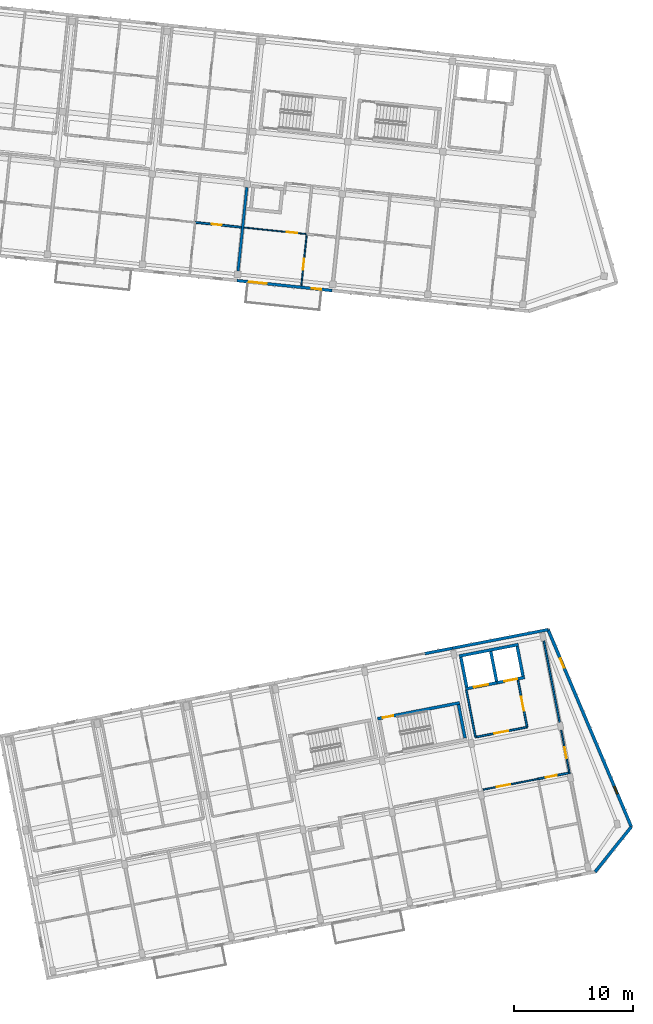
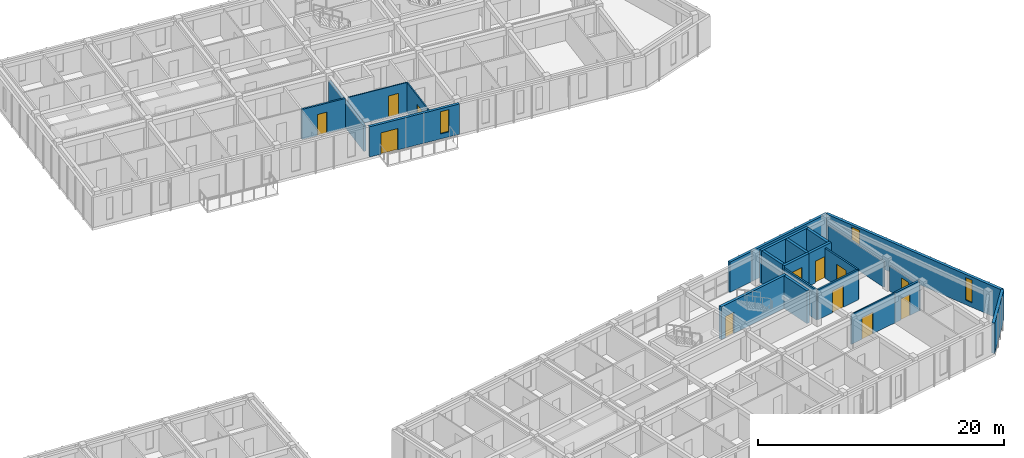
# One storey, part 37 of 68: 24 walls, 12 doors, 3 windows, 15 openings.
"""IFC4 building model written with IfcOpenShell, lengths in metres."""

from ifc_helpers import new_model, si_unit, direction, frame, frame_2d, origin, place, context, subcontext, project, spatial, rectangle, extrude, material, layer, layer_set, type_object, element, fill, save


model = new_model("IFC4")

# Units and contexts
model_context = context("Model", 3, precision=1e-05, world=origin(), true_north=direction((0.0, 1.0)))
body_context = subcontext(model_context, "Body", "Model", "MODEL_VIEW")
ifc_project = project(units=[si_unit("LENGTHUNIT", "METRE"), si_unit("AREAUNIT", "SQUARE_METRE"), si_unit("VOLUMEUNIT", "CUBIC_METRE"), si_unit("PLANEANGLEUNIT", "RADIAN"), si_unit("MASSUNIT", "GRAM", prefix="KILO")], contexts=[model_context])

# Site, building, storey
site_placement = place(None, origin())
site = spatial("IfcSite", under=ifc_project, at=site_placement, CompositionType="ELEMENT")
building_placement = place(site_placement, origin())
building = spatial("IfcBuilding", under=site, at=building_placement, Name="Kestramere Prow Commons", CompositionType="ELEMENT")
storey_placement = place(building_placement, frame((0.0, 0.0, 18.14990234375)))
storey = spatial("IfcBuildingStorey", under=building, at=storey_placement, Name="L05", CompositionType="ELEMENT", Elevation=18.14990234375)

# Wall, openings, windows
ifc_material_1 = material(Name="Weathered Zinc-Titanium Standing-Seam Cladding")
ifc_layer_1 = layer(ifc_material_1, 0.260009765625)
ifc_layer_set_1 = layer_set([ifc_layer_1], Name="Weathered Zinc-Titanium Standing-Seam Cladding")
wall_type_1 = type_object("IfcWallType", Name="EW-PROW-260", PredefinedType="SOLIDWALL", material=ifc_layer_set_1)
wall_1_placement = place(storey_placement, frame((159.83740234375, 62.556396484375, 0.0), z_axis=(0.0, 0.0, 1.0), x_axis=(0.389225507936, -0.921142499276, 0.0)))
wall_1 = element("IfcWall", 1, at=wall_1_placement, inside=storey, type_object=wall_type_1, Name="Block D L05 PRW-N Facet Wall", PredefinedType="SOLIDWALL", context=body_context, shape_type="SweptSolid", body=[
    extrude(rectangle(XDim=17.910400390625, YDim=0.260009765625, at=frame_2d((8.955078125, 0.0))), origin(), (0.0, 0.0, 1.0), 3.0),
])
opening_1_placement = place(wall_1_placement, frame((2.6298828125, 0.0, 0.52001953125)))
opening_1 = element("IfcOpeningElement", 2, at=opening_1_placement, cuts=wall_1, Name="Opening WN-14", PredefinedType="OPENING", context=body_context, shape_type="SweptSolid", body=[
    extrude(rectangle(XDim=0.840087890625, YDim=2.280029296875, at=frame_2d((0.419921875, 1.14013671875))), frame((0.0, 0.14501953125, 0.0), z_axis=(0.0, -1.0, 0.0), x_axis=(1.0, 0.0, 0.0)), (0.0, 0.0, 1.0), 0.2900390625),
])
opening_2_placement = place(wall_1_placement, frame((14.240234375, 0.0, 0.449951171875)))
opening_2 = element("IfcOpeningElement", 3, at=opening_2_placement, cuts=wall_1, Name="Opening WN-06", PredefinedType="OPENING", context=body_context, shape_type="SweptSolid", body=[
    extrude(rectangle(XDim=0.679931640625, YDim=2.239990234375, at=frame_2d((0.33984375, 1.1201171875))), frame((0.0, 0.14501953125, 0.0), z_axis=(0.0, -1.0, 0.0), x_axis=(1.0, 0.0, 0.0)), (0.0, 0.0, 1.0), 0.2900390625),
])
ifc_material_2 = material(Name="Low-E Laminated Double Glazing", Category="glass")
window_type_1 = type_object("IfcWindowType", Name="WN-NAR-680A", PartitioningType="SINGLE_PANEL", PredefinedType="WINDOW", material=ifc_material_2)
window_1_placement = place(opening_2_placement, origin())
window_1 = element("IfcWindow", 4, at=window_1_placement, inside=storey, type_object=window_type_1, Name="WN-D-L05-PRW-N-1", OverallHeight=2.239990234375, OverallWidth=0.679931640625, PartitioningType="SINGLE_PANEL", PredefinedType="WINDOW", context=body_context, shape_type="SweptSolid", body=[
    extrude(rectangle(XDim=0.679931640625, YDim=2.239990234375, at=frame_2d((0.33984375, 1.1201171875))), frame((0.0, 0.030029296875, 0.0), z_axis=(0.0, -1.0, 0.0), x_axis=(1.0, 0.0, 0.0)), (0.0, 0.0, 1.0), 0.06005859375),
])
fill(opening_2, window_1)
window_type_2 = type_object("IfcWindowType", Name="WN-NAR-840A", PartitioningType="DOUBLE_PANEL_VERTICAL", PredefinedType="WINDOW", material=ifc_material_2)
window_2_placement = place(opening_1_placement, origin())
window_2 = element("IfcWindow", 5, at=window_2_placement, inside=storey, type_object=window_type_2, Name="WN-D-L05-PRW-N-0", OverallHeight=2.280029296875, OverallWidth=0.840087890625, PartitioningType="SINGLE_PANEL", PredefinedType="WINDOW", context=body_context, shape_type="SweptSolid", body=[
    extrude(rectangle(XDim=0.840087890625, YDim=2.280029296875, at=frame_2d((0.419921875, 1.14013671875))), frame((0.0, 0.030029296875, 0.0), z_axis=(0.0, -1.0, 0.0), x_axis=(1.0, 0.0, 0.0)), (0.0, 0.0, 1.0), 0.06005859375),
])
fill(opening_1, window_2)

# Wall
wall_2_placement = place(storey_placement, frame((166.80859375, 46.058349609375, 0.0), z_axis=(0.0, 0.0, 1.0), x_axis=(-0.626281072923, -0.779597343312, 0.0)))
element("IfcWall", 6, at=wall_2_placement, inside=storey, type_object=wall_type_1, Name="Block D L05 PRW-S Facet Wall", PredefinedType="SOLIDWALL", context=body_context, shape_type="SweptSolid", body=[
    extrude(rectangle(XDim=4.83935546875, YDim=0.260009765625, at=frame_2d((2.419677734375, 0.0))), origin(), (0.0, 0.0, 1.0), 3.0),
])

# Wall, openings, door, window
ifc_material_3 = material(Name="Fluoropolymer Standing-Seam Zinc-Aluminium Cladding", Category="aluminium")
ifc_layer_2 = layer(ifc_material_3, 0.239990234375)
ifc_layer_set_2 = layer_set([ifc_layer_2], Name="Fluoropolymer Standing-Seam Zinc-Aluminium Cladding")
wall_type_2 = type_object("IfcWallType", Name="EW-SEAM-240", PredefinedType="SOLIDWALL", material=ifc_layer_set_2)
wall_3_placement = place(storey_placement, frame((141.769775390625, 90.932861328125, 0.0), z_axis=(0.0, 0.0, 1.0), x_axis=(-0.994519156568, 0.104554517933, 0.0)))
wall_3 = element("IfcWall", 7, at=wall_3_placement, inside=storey, type_object=wall_type_2, Name="Block B L05 South Standing-Seam Wall 4", PredefinedType="SOLIDWALL", context=body_context, shape_type="SweptSolid", body=[
    extrude(rectangle(XDim=8.0, YDim=0.239990234375, at=frame_2d((4.0, 0.0))), origin(), (0.0, 0.0, 1.0), 3.0),
])
opening_3_placement = place(wall_3_placement, frame((5.4951171875, 0.0, 0.0)))
opening_3 = element("IfcOpeningElement", 8, at=opening_3_placement, cuts=wall_3, Name="Opening GD-BAL-01", PredefinedType="OPENING", context=body_context, shape_type="SweptSolid", body=[
    extrude(rectangle(XDim=1.5, YDim=2.1201171875, at=frame_2d((0.75, 1.06005859375))), frame((0.0, 0.135009765625, 0.0), z_axis=(0.0, -1.0, 0.0), x_axis=(1.0, 0.0, 0.0)), (0.0, 0.0, 1.0), 0.27001953125),
])
opening_4_placement = place(wall_3_placement, frame((0.929931640625, 0.0, 0.5)))
opening_4 = element("IfcOpeningElement", 9, at=opening_4_placement, cuts=wall_3, Name="Opening WN-11", PredefinedType="OPENING", context=body_context, shape_type="SweptSolid", body=[
    extrude(rectangle(XDim=0.780029296875, YDim=2.199951171875, at=frame_2d((0.39013671875, 1.10009765625))), frame((0.0, 0.135009765625, 0.0), z_axis=(0.0, -1.0, 0.0), x_axis=(1.0, 0.0, 0.0)), (0.0, 0.0, 1.0), 0.27001953125),
])
ifc_material_4 = material(Name="Thermally-Broken Anodised Aluminium Glazed", Category="aluminium")
door_type_1 = type_object("IfcDoorType", Name="GD-BAL-1500", OperationType="SLIDING_TO_RIGHT", PredefinedType="DOOR", material=ifc_material_4)
door_1_placement = place(opening_3_placement, origin())
door_1 = element("IfcDoor", 10, at=door_1_placement, inside=storey, type_object=door_type_1, Name="Block B L05 Balcony Door 4", OperationType="SLIDING_TO_RIGHT", OverallHeight=2.1201171875, OverallWidth=1.5, PredefinedType="DOOR", context=body_context, shape_type="SweptSolid", body=[
    extrude(rectangle(XDim=1.5, YDim=2.1201171875, at=frame_2d((0.75, 1.06005859375))), frame((0.0, 0.02490234375, 0.0), z_axis=(0.0, -1.0, 0.0), x_axis=(1.0, 0.0, 0.0)), (0.0, 0.0, 1.0), 0.050048828125),
])
fill(opening_3, door_1)
window_type_3 = type_object("IfcWindowType", Name="WN-NAR-780A", PartitioningType="SINGLE_PANEL", PredefinedType="WINDOW", material=ifc_material_2)
window_3_placement = place(opening_4_placement, origin())
window_3 = element("IfcWindow", 11, at=window_3_placement, inside=storey, type_object=window_type_3, Name="WN-B-L05-SR-3", OverallHeight=2.199951171875, OverallWidth=0.780029296875, PartitioningType="SINGLE_PANEL", PredefinedType="WINDOW", context=body_context, shape_type="SweptSolid", body=[
    extrude(rectangle(XDim=0.780029296875, YDim=2.199951171875, at=frame_2d((0.39013671875, 1.10009765625))), frame((0.0, 0.030029296875, 0.0), z_axis=(0.0, -1.0, 0.0), x_axis=(1.0, 0.0, 0.0)), (0.0, 0.0, 1.0), 0.06005859375),
])
fill(opening_4, window_3)

# Walls
wall_4_placement = place(storey_placement, frame((149.530517578125, 60.552734375, 0.0), z_axis=(0.0, 0.0, 1.0), x_axis=(0.98161057432, 0.190894422087, 0.0)))
element("IfcWall", 12, at=wall_4_placement, inside=storey, type_object=wall_type_2, Name="Block D L05 North Standing-Seam Pier 5R", PredefinedType="SOLIDWALL", context=body_context, shape_type="SweptSolid", body=[
    extrude(rectangle(XDim=2.375, YDim=0.239990234375, at=frame_2d((1.1875, 0.0))), origin(), (0.0, 0.0, 1.0), 3.0),
])
wall_5_placement = place(storey_placement, frame((151.86181640625, 61.006103515625, 0.0), z_axis=(0.0, 0.0, 1.0), x_axis=(0.981627273155, 0.190808533872, 0.0)))
element("IfcWall", 13, at=wall_5_placement, inside=storey, type_object=wall_type_2, Name="Block D L05 North Standing-Seam Wall 6", PredefinedType="SOLIDWALL", context=body_context, shape_type="SweptSolid", body=[
    extrude(rectangle(XDim=8.124755859375, YDim=0.239990234375, at=frame_2d((4.0625, 0.0))), origin(), (0.0, 0.0, 1.0), 3.0),
])
ifc_material_5 = material(Name="Concrete C40/50", Category="concrete")
ifc_layer_3 = layer(ifc_material_5, 0.25)
ifc_layer_set_3 = layer_set([ifc_layer_3], Name="Concrete C40/50")
wall_type_3 = type_object("IfcWallType", Name="W-CORE-250", PredefinedType="SHEAR", material=ifc_layer_set_3)
wall_6_placement = place(storey_placement, frame((152.3974609375, 60.34619140625, 0.0), z_axis=(0.0, 0.0, 1.0), x_axis=(0.981635261308, 0.190767433692, 0.0)))
element("IfcWall", 14, at=wall_6_placement, inside=storey, type_object=wall_type_3, Name="Block D L05 Lift Core Back Wall", PredefinedType="SHEAR", context=body_context, shape_type="SweptSolid", body=[
    extrude(rectangle(XDim=5.050048828125, YDim=0.25, at=frame_2d((2.52490234375, 0.0))), origin(), (0.0, 0.0, 1.0), 3.25),
])

# Wall, opening, door
wall_7_placement = place(storey_placement, frame((152.931884765625, 57.59765625, 0.0), z_axis=(0.0, 0.0, 1.0), x_axis=(0.981636759622, 0.190759723627, 0.0)))
wall_7 = element("IfcWall", 15, at=wall_7_placement, inside=storey, type_object=wall_type_3, Name="Block D L05 Fire Lift Shaft Front Wall", PredefinedType="SHEAR", context=body_context, shape_type="SweptSolid", body=[
    extrude(rectangle(XDim=2.6748046875, YDim=0.25, at=frame_2d((1.33740234375, 0.0))), origin(), (0.0, 0.0, 1.0), 3.25),
])
opening_5_placement = place(wall_7_placement, frame((0.719970703125, 0.0, 0.0)))
opening_5 = element("IfcOpeningElement", 16, at=opening_5_placement, cuts=wall_7, Name="Opening LD-02", PredefinedType="OPENING", context=body_context, shape_type="SweptSolid", body=[
    extrude(rectangle(XDim=1.199951171875, YDim=2.199951171875, at=frame_2d((0.60009765625, 1.10009765625))), frame((0.0, 0.139892578125, 0.0), z_axis=(0.0, -1.0, 0.0), x_axis=(1.0, 0.0, 0.0)), (0.0, 0.0, 1.0), 0.280029296875),
])
ifc_material_6 = material(Name="Brushed Stainless Steel 316", Category="steel")
door_type_2 = type_object("IfcDoorType", Name="LD-02", OperationType="DOUBLE_DOOR_SLIDING", PredefinedType="DOOR", material=ifc_material_6)
door_2_placement = place(opening_5_placement, origin())
door_2 = element("IfcDoor", 17, at=door_2_placement, inside=storey, type_object=door_type_2, Name="FL-D1 L05 Lift Landing Door", OperationType="DOUBLE_DOOR_SLIDING", OverallHeight=2.199951171875, OverallWidth=1.199951171875, PredefinedType="DOOR", context=body_context, shape_type="SweptSolid", body=[
    extrude(rectangle(XDim=1.199951171875, YDim=2.199951171875, at=frame_2d((0.60009765625, 1.10009765625))), frame((0.0, 0.02490234375, 0.0), z_axis=(0.0, -1.0, 0.0), x_axis=(1.0, 0.0, 0.0)), (0.0, 0.0, 1.0), 0.050048828125),
])
fill(opening_5, door_2)

wall_8_placement = place(storey_placement, frame((155.5576171875, 58.10791015625, 0.0), z_axis=(0.0, 0.0, 1.0), x_axis=(0.981633573872, 0.190776116556, 0.0)))
wall_8 = element("IfcWall", 18, at=wall_8_placement, inside=storey, type_object=wall_type_3, Name="Block D L05 Passenger Lift Shaft Front Wall", PredefinedType="SHEAR", context=body_context, shape_type="SweptSolid", body=[
    extrude(rectangle(XDim=2.375244140625, YDim=0.25, at=frame_2d((1.1875, 0.0))), origin(), (0.0, 0.0, 1.0), 3.25),
])
opening_6_placement = place(wall_8_placement, frame((0.64990234375, 0.0, 0.0)))
opening_6 = element("IfcOpeningElement", 19, at=opening_6_placement, cuts=wall_8, Name="Opening LD-01", PredefinedType="OPENING", context=body_context, shape_type="SweptSolid", body=[
    extrude(rectangle(XDim=1.10009765625, YDim=2.14990234375, at=frame_2d((0.550048828125, 1.074951171875))), frame((0.0, 0.139892578125, 0.0), z_axis=(0.0, -1.0, 0.0), x_axis=(1.0, 0.0, 0.0)), (0.0, 0.0, 1.0), 0.280029296875),
])
ifc_material_7 = material(Name="Brushed Stainless Steel 304", Category="steel")
door_type_3 = type_object("IfcDoorType", Name="LD-01", OperationType="DOUBLE_DOOR_SLIDING", PredefinedType="DOOR", material=ifc_material_7)
door_3_placement = place(opening_6_placement, origin())
door_3 = element("IfcDoor", 20, at=door_3_placement, inside=storey, type_object=door_type_3, Name="PL-D2 L05 Lift Landing Door", OperationType="DOUBLE_DOOR_SLIDING", OverallHeight=2.14990234375, OverallWidth=1.10009765625, PredefinedType="DOOR", context=body_context, shape_type="SweptSolid", body=[
    extrude(rectangle(XDim=1.10009765625, YDim=2.14990234375, at=frame_2d((0.550048828125, 1.074951171875))), frame((0.0, 0.02490234375, 0.0), z_axis=(0.0, -1.0, 0.0), x_axis=(1.0, 0.0, 0.0)), (0.0, 0.0, 1.0), 0.050048828125),
])
fill(opening_6, door_3)

# Walls
for number, where, z_axis, x_axis, name in (
    (21, (153.03076171875, 57.744140625, 0.0), (0.0, 0.0, 1.0), (-0.190810719655, 0.98162684828, 0.0), "Block D L05 Lift Core Side Wall L"),
    (22, (155.533935546875, 58.230712890625, 0.0), (0.0, 0.0, 1.0), (-0.190810719655, 0.98162684828, 0.0), "Block D L05 Lift Core Side Wall M"),
    (23, (157.742431640625, 58.659912109375, 0.0), (0.0, 0.0, 1.0), (-0.190810719655, 0.98162684828, 0.0), "Block D L05 Lift Core Side Wall R"),
):
    element("IfcWall", number, at=place(storey_placement, frame(where, z_axis=z_axis, x_axis=x_axis)), inside=storey, type_object=wall_type_3, Name=name, PredefinedType="SHEAR", context=body_context, shape_type="SweptSolid", body=[
        extrude(rectangle(XDim=2.550048828125, YDim=0.25, at=frame_2d((1.27490234375, 0.0))), origin(), (0.0, 0.0, 1.0), 3.25),
    ])

# Wall, opening, door
wall_9_placement = place(storey_placement, frame((145.57373046875, 55.09765625, 0.0), z_axis=(0.0, 0.0, 1.0), x_axis=(0.981626097708, 0.19081458094, 0.0)))
wall_9 = element("IfcWall", 24, at=wall_9_placement, inside=storey, type_object=wall_type_3, Name="ST-D2 L05 North Shaft Wall", PredefinedType="SHEAR", context=body_context, shape_type="SweptSolid", body=[
    extrude(rectangle(XDim=7.0, YDim=0.25, at=frame_2d((3.5, 0.0))), origin(), (0.0, 0.0, 1.0), 3.25),
])
opening_7_placement = place(wall_9_placement, frame((0.449951171875, 0.0, 0.0)))
opening_7 = element("IfcOpeningElement", 25, at=opening_7_placement, cuts=wall_9, Name="Opening ID-08", PredefinedType="OPENING", context=body_context, shape_type="SweptSolid", body=[
    extrude(rectangle(XDim=0.89990234375, YDim=2.10009765625, at=frame_2d((0.449951171875, 1.050048828125))), frame((0.0, 0.139892578125, 0.0), z_axis=(0.0, -1.0, 0.0), x_axis=(1.0, 0.0, 0.0)), (0.0, 0.0, 1.0), 0.280029296875),
])
ifc_material_8 = material(Name="Engineered Timber Flush Door", Category="wood")
door_type_4 = type_object("IfcDoorType", Name="D-RM-01", OperationType="NOTDEFINED", PredefinedType="DOOR", material=ifc_material_8)
door_4_placement = place(opening_7_placement, origin())
door_4 = element("IfcDoor", 26, at=door_4_placement, inside=storey, type_object=door_type_4, Name="ST-D2 L05 North Room Door", OperationType="SINGLE_SWING_RIGHT", OverallHeight=2.10009765625, OverallWidth=0.89990234375, PredefinedType="DOOR", context=body_context, shape_type="SweptSolid", body=[
    extrude(rectangle(XDim=0.89990234375, YDim=2.10009765625, at=frame_2d((0.449951171875, 1.050048828125))), frame((0.0, 0.02490234375, 0.0), z_axis=(0.0, -1.0, 0.0), x_axis=(1.0, 0.0, 0.0)), (0.0, 0.0, 1.0), 0.050048828125),
])
fill(opening_7, door_4)

# Wall
wall_10_placement = place(storey_placement, frame((152.889892578125, 53.489013671875, 0.0), z_axis=(0.0, 0.0, 1.0), x_axis=(-0.190775649797, 0.981633664584, 0.0)))
element("IfcWall", 27, at=wall_10_placement, inside=storey, type_object=wall_type_3, Name="ST-D2 L05 Far Shaft Wall", PredefinedType="SHEAR", context=body_context, shape_type="SweptSolid", body=[
    extrude(rectangle(XDim=2.849853515625, YDim=0.25, at=frame_2d((1.4248046875, 0.0))), origin(), (0.0, 0.0, 1.0), 3.25),
])

# Wall, opening, door
ifc_material_9 = material(Name="Fire-Rated Calcium Silicate Wall")
ifc_layer_4 = layer(ifc_material_9, 0.155029296875)
ifc_layer_set_4 = layer_set([ifc_layer_4], Name="Fire-Rated Calcium Silicate Wall")
wall_type_4 = type_object("IfcWallType", Name="W-FIRE-150", PredefinedType="PARTITIONING", material=ifc_layer_set_4)
wall_11_placement = place(storey_placement, frame((153.76806640625, 53.557861328125, 0.0), z_axis=(0.0, 0.0, 1.0), x_axis=(0.981624918225, 0.190820648566, 0.0)))
wall_11 = element("IfcWall", 28, at=wall_11_placement, inside=storey, type_object=wall_type_4, Name="Interior Partition PW-D-L05-FFL-S", PredefinedType="PARTITIONING", context=body_context, shape_type="SweptSolid", body=[
    extrude(rectangle(XDim=4.39990234375, YDim=0.155029296875, at=frame_2d((2.199951171875, 0.0))), origin(), (0.0, 0.0, 1.0), 2.97021484375),
])
opening_8_placement = place(wall_11_placement, frame((1.60009765625, 0.0, 0.0)))
opening_8 = element("IfcOpeningElement", 29, at=opening_8_placement, cuts=wall_11, Name="Opening ID-03", PredefinedType="OPENING", context=body_context, shape_type="SweptSolid", body=[
    extrude(rectangle(XDim=1.179931640625, YDim=2.14990234375, at=frame_2d((0.58984375, 1.074951171875))), frame((0.0, 0.092529296875, 0.0), z_axis=(0.0, -1.0, 0.0), x_axis=(1.0, 0.0, 0.0)), (0.0, 0.0, 1.0), 0.18505859375),
])
ifc_material_10 = material(Name="Fire-Rated Glazed Smoke-Stop Door")
door_type_5 = type_object("IfcDoorType", Name="FD-LB-01", OperationType="NOTDEFINED", PredefinedType="DOOR", material=ifc_material_10)
door_5_placement = place(opening_8_placement, origin())
door_5 = element("IfcDoor", 30, at=door_5_placement, inside=storey, type_object=door_type_5, Name="Interior Door DR-D-L05-FFL", OperationType="SINGLE_SWING_RIGHT", OverallHeight=2.14990234375, OverallWidth=1.179931640625, PredefinedType="DOOR", context=body_context, shape_type="SweptSolid", body=[
    extrude(rectangle(XDim=1.179931640625, YDim=2.14990234375, at=frame_2d((0.58984375, 1.074951171875))), frame((0.0, 0.02490234375, 0.0), z_axis=(0.0, -1.0, 0.0), x_axis=(1.0, 0.0, 0.0)), (0.0, 0.0, 1.0), 0.050048828125),
])
fill(opening_8, door_5)

# Wall
wall_12_placement = place(storey_placement, frame((153.76806640625, 53.557861328125, 0.0), z_axis=(0.0, 0.0, 1.0), x_axis=(-0.19085495634, 0.981618248425, 0.0)))
element("IfcWall", 31, at=wall_12_placement, inside=storey, type_object=wall_type_4, Name="Interior Partition PW-D-L05-FFL-W", PredefinedType="PARTITIONING", context=body_context, shape_type="SweptSolid", body=[
    extrude(rectangle(XDim=4.0, YDim=0.155029296875, at=frame_2d((2.0, 0.0))), origin(), (0.0, 0.0, 1.0), 2.97021484375),
])

# Wall, opening, door
wall_13_placement = place(storey_placement, frame((158.087158203125, 54.3974609375, 0.0), z_axis=(0.0, 0.0, 1.0), x_axis=(-0.190796144009, 0.981629681413, 0.0)))
wall_13 = element("IfcWall", 32, at=wall_13_placement, inside=storey, type_object=wall_type_4, Name="Interior Partition PW-D-L05-FFL-E", PredefinedType="PARTITIONING", context=body_context, shape_type="SweptSolid", body=[
    extrude(rectangle(XDim=4.0, YDim=0.155029296875, at=frame_2d((2.0, 0.0))), origin(), (0.0, 0.0, 1.0), 2.97021484375),
])
opening_9_placement = place(wall_13_placement, frame((1.39990234375, 0.0, 0.0)))
opening_9 = element("IfcOpeningElement", 33, at=opening_9_placement, cuts=wall_13, Name="Opening ID-03", PredefinedType="OPENING", context=body_context, shape_type="SweptSolid", body=[
    extrude(rectangle(XDim=1.179931640625, YDim=2.14990234375, at=frame_2d((0.58984375, 1.074951171875))), frame((0.0, 0.092529296875, 0.0), z_axis=(0.0, -1.0, 0.0), x_axis=(1.0, 0.0, 0.0)), (0.0, 0.0, 1.0), 0.18505859375),
])
door_6_placement = place(opening_9_placement, origin())
door_6 = element("IfcDoor", 34, at=door_6_placement, inside=storey, type_object=door_type_5, Name="Interior Door DR-D-L05-FFL-PL", OperationType="SINGLE_SWING_LEFT", OverallHeight=2.14990234375, OverallWidth=1.179931640625, PredefinedType="DOOR", context=body_context, shape_type="SweptSolid", body=[
    extrude(rectangle(XDim=1.179931640625, YDim=2.14990234375, at=frame_2d((0.58984375, 1.074951171875))), frame((0.0, 0.02490234375, 0.0), z_axis=(0.0, -1.0, 0.0), x_axis=(1.0, 0.0, 0.0)), (0.0, 0.0, 1.0), 0.050048828125),
])
fill(opening_9, door_6)

ifc_material_11 = material(Name="Gypsum Acoustic Drywall")
ifc_layer_5 = layer(ifc_material_11, 0.110107421875)
ifc_layer_set_5 = layer_set([ifc_layer_5], Name="Gypsum Acoustic Drywall")
wall_type_5 = type_object("IfcWallType", Name="W-PART-110", PredefinedType="PARTITIONING", material=ifc_layer_set_5)
wall_14_placement = place(storey_placement, frame((139.193115234375, 91.339599609375, 0.0), z_axis=(0.0, 0.0, 1.0), x_axis=(0.104576436892, 0.994516851967, 0.0)))
wall_14 = element("IfcWall", 35, at=wall_14_placement, inside=storey, type_object=wall_type_5, Name="Interior Partition PW-B-L05-LB-S3", PredefinedType="PARTITIONING", context=body_context, shape_type="SweptSolid", body=[
    extrude(rectangle(XDim=4.33984375, YDim=0.110107421875, at=frame_2d((2.169921875, 0.0))), origin(), (0.0, 0.0, 1.0), 2.97021484375),
])
opening_10_placement = place(wall_14_placement, frame((1.35009765625, 0.0, 0.0)))
opening_10 = element("IfcOpeningElement", 36, at=opening_10_placement, cuts=wall_14, Name="Opening ID-08", PredefinedType="OPENING", context=body_context, shape_type="SweptSolid", body=[
    extrude(rectangle(XDim=0.89990234375, YDim=2.10009765625, at=frame_2d((0.449951171875, 1.050048828125))), frame((0.0, 0.070068359375, 0.0), z_axis=(0.0, -1.0, 0.0), x_axis=(1.0, 0.0, 0.0)), (0.0, 0.0, 1.0), 0.14013671875),
])
door_7_placement = place(opening_10_placement, origin())
door_7 = element("IfcDoor", 37, at=door_7_placement, inside=storey, type_object=door_type_4, Name="Interior Door DR-B-L05-BED-S3", OperationType="SINGLE_SWING_RIGHT", OverallHeight=2.10009765625, OverallWidth=0.89990234375, PredefinedType="DOOR", context=body_context, shape_type="SweptSolid", body=[
    extrude(rectangle(XDim=0.89990234375, YDim=2.10009765625, at=frame_2d((0.449951171875, 1.050048828125))), frame((0.0, 0.02490234375, 0.0), z_axis=(0.0, -1.0, 0.0), x_axis=(1.0, 0.0, 0.0)), (0.0, 0.0, 1.0), 0.050048828125),
])
fill(opening_10, door_7)

ifc_material_12 = material(Name="Lightweight Blockwork and Plaster", Category="masonry")
ifc_layer_6 = layer(ifc_material_12, 0.1201171875)
ifc_layer_set_6 = layer_set([ifc_layer_6], Name="Lightweight Blockwork and Plaster")
wall_type_6 = type_object("IfcWallType", Name="W-PART-120", PredefinedType="PARTITIONING", material=ifc_layer_set_6)
wall_15_placement = place(storey_placement, frame((161.648193359375, 50.489990234375, 0.0), z_axis=(0.0, 0.0, 1.0), x_axis=(-0.190789073686, 0.981631055622, 0.0)))
wall_15 = element("IfcWall", 38, at=wall_15_placement, inside=storey, type_object=wall_type_6, Name="Interior Partition PW-D-L05-PROW-ACC", PredefinedType="PARTITIONING", context=body_context, shape_type="SweptSolid", body=[
    extrude(rectangle(XDim=3.730224609375, YDim=0.1201171875, at=frame_2d((1.865234375, 0.0))), origin(), (0.0, 0.0, 1.0), 2.5),
])
opening_11_placement = place(wall_15_placement, frame((1.35009765625, 0.0, 0.0)))
opening_11 = element("IfcOpeningElement", 39, at=opening_11_placement, cuts=wall_15, Name="Opening ID-08", PredefinedType="OPENING", context=body_context, shape_type="SweptSolid", body=[
    extrude(rectangle(XDim=0.89990234375, YDim=2.10009765625, at=frame_2d((0.449951171875, 1.050048828125))), frame((0.0, 0.074951171875, 0.0), z_axis=(0.0, -1.0, 0.0), x_axis=(1.0, 0.0, 0.0)), (0.0, 0.0, 1.0), 0.150146484375),
])
door_8_placement = place(opening_11_placement, origin())
door_8 = element("IfcDoor", 40, at=door_8_placement, inside=storey, type_object=door_type_4, Name="Interior Door DR-D-L05-PROW", OperationType="SINGLE_SWING_LEFT", OverallHeight=2.10009765625, OverallWidth=0.89990234375, PredefinedType="DOOR", context=body_context, shape_type="SweptSolid", body=[
    extrude(rectangle(XDim=0.89990234375, YDim=2.10009765625, at=frame_2d((0.449951171875, 1.050048828125))), frame((0.0, 0.02490234375, 0.0), z_axis=(0.0, -1.0, 0.0), x_axis=(1.0, 0.0, 0.0)), (0.0, 0.0, 1.0), 0.050048828125),
])
fill(opening_11, door_8)

wall_16_placement = place(storey_placement, frame((154.40234375, 49.168212890625, 0.0), z_axis=(0.0, 0.0, 1.0), x_axis=(0.981622711665, 0.190831999263, 0.0)))
wall_16 = element("IfcWall", 41, at=wall_16_placement, inside=storey, type_object=wall_type_6, Name="Interior Partition PW-D-L05-CS-5A", PredefinedType="PARTITIONING", context=body_context, shape_type="SweptSolid", body=[
    extrude(rectangle(XDim=4.68505859375, YDim=0.1201171875, at=frame_2d((2.342529296875, 0.0))), origin(), (0.0, 0.0, 1.0), 2.97021484375),
])
opening_12_placement = place(wall_16_placement, frame((1.14990234375, 0.0, 0.0)))
opening_12 = element("IfcOpeningElement", 42, at=opening_12_placement, cuts=wall_16, Name="Opening ID-09", PredefinedType="OPENING", context=body_context, shape_type="SweptSolid", body=[
    extrude(rectangle(XDim=1.14990234375, YDim=2.14990234375, at=frame_2d((0.574951171875, 1.074951171875))), frame((0.0, 0.074951171875, 0.0), z_axis=(0.0, -1.0, 0.0), x_axis=(1.0, 0.0, 0.0)), (0.0, 0.0, 1.0), 0.150146484375),
])
ifc_material_13 = material(Name="Engineered Timber Acoustic Door", Category="wood")
door_type_6 = type_object("IfcDoorType", Name="D-RM-02", OperationType="NOTDEFINED", PredefinedType="DOOR", material=ifc_material_13)
door_9_placement = place(opening_12_placement, origin())
door_9 = element("IfcDoor", 43, at=door_9_placement, inside=storey, type_object=door_type_6, Name="Interior Door DR-D-L05-SKY-5", OperationType="SINGLE_SWING_LEFT", OverallHeight=2.14990234375, OverallWidth=1.14990234375, PredefinedType="DOOR", context=body_context, shape_type="SweptSolid", body=[
    extrude(rectangle(XDim=1.14990234375, YDim=2.14990234375, at=frame_2d((0.574951171875, 1.074951171875))), frame((0.0, 0.02490234375, 0.0), z_axis=(0.0, -1.0, 0.0), x_axis=(1.0, 0.0, 0.0)), (0.0, 0.0, 1.0), 0.050048828125),
])
fill(opening_12, door_9)

# Wall
ifc_material_14 = material(Name="Masonry Compartment Wall", Category="masonry")
ifc_layer_7 = layer(ifc_material_14, 0.14990234375)
ifc_layer_set_7 = layer_set([ifc_layer_7], Name="Masonry Compartment Wall")
wall_type_7 = type_object("IfcWallType", Name="W-PART-150", PredefinedType="PARTITIONING", material=ifc_layer_set_7)
wall_17_placement = place(storey_placement, frame((160.80859375, 54.809326171875, 0.0), z_axis=(0.0, 0.0, 1.0), x_axis=(-0.190808365525, 0.981627305878, 0.0)))
element("IfcWall", 44, at=wall_17_placement, inside=storey, type_object=wall_type_7, Name="Interior Partition PW-D-L05-PRW-N", PredefinedType="PARTITIONING", context=body_context, shape_type="SweptSolid", body=[
    extrude(rectangle(XDim=6.9296875, YDim=0.14990234375, at=frame_2d((3.46484375, 0.0))), origin(), (0.0, 0.0, 1.0), 2.5),
])

# Wall, opening, door
ifc_layer_8 = layer(ifc_material_11, 0.094970703125)
ifc_layer_set_8 = layer_set([ifc_layer_8], Name="Gypsum Acoustic Drywall")
wall_type_8 = type_object("IfcWallType", Name="W-PART-95", PredefinedType="PARTITIONING", material=ifc_layer_set_8)
wall_18_placement = place(storey_placement, frame((134.395751953125, 96.207763671875, 0.0), z_axis=(0.0, 0.0, 1.0), x_axis=(0.994520390767, -0.104542777606, 0.0)))
wall_18 = element("IfcWall", 45, at=wall_18_placement, inside=storey, type_object=wall_type_8, Name="Interior Partition PW-B-L05-MIDS1-3", PredefinedType="PARTITIONING", context=body_context, shape_type="SweptSolid", body=[
    extrude(rectangle(XDim=5.2802734375, YDim=0.094970703125, at=frame_2d((2.64013671875, 0.0))), origin(), (0.0, 0.0, 1.0), 2.97021484375),
])
opening_13_placement = place(wall_18_placement, frame((3.594970703125, 0.0, 0.0)))
opening_13 = element("IfcOpeningElement", 46, at=opening_13_placement, cuts=wall_18, Name="Opening ID-08", PredefinedType="OPENING", context=body_context, shape_type="SweptSolid", body=[
    extrude(rectangle(XDim=0.89990234375, YDim=2.10009765625, at=frame_2d((0.449951171875, 1.050048828125))), frame((0.0, 0.0625, 0.0), z_axis=(0.0, -1.0, 0.0), x_axis=(1.0, 0.0, 0.0)), (0.0, 0.0, 1.0), 0.125),
])
door_10_placement = place(opening_13_placement, origin())
door_10 = element("IfcDoor", 47, at=door_10_placement, inside=storey, type_object=door_type_4, Name="Interior Door DR-B-L05-KL-S3", OperationType="SINGLE_SWING_RIGHT", OverallHeight=2.10009765625, OverallWidth=0.89990234375, PredefinedType="DOOR", context=body_context, shape_type="SweptSolid", body=[
    extrude(rectangle(XDim=0.89990234375, YDim=2.10009765625, at=frame_2d((0.449951171875, 1.050048828125))), frame((0.0, 0.02490234375, 0.0), z_axis=(0.0, -1.0, 0.0), x_axis=(1.0, 0.0, 0.0)), (0.0, 0.0, 1.0), 0.050048828125),
])
fill(opening_13, door_10)

ifc_material_15 = material(Name="Waterproof Sanitary Masonry Wall", Category="masonry")
ifc_layer_9 = layer(ifc_material_15, 0.1650390625)
ifc_layer_set_9 = layer_set([ifc_layer_9], Name="Waterproof Sanitary Masonry Wall")
wall_type_9 = type_object("IfcWallType", Name="W-PLUMB-150", PredefinedType="PLUMBINGWALL", material=ifc_layer_set_9)
wall_19_placement = place(storey_placement, frame((130.30322265625, 96.6376953125, 0.0), z_axis=(0.0, 0.0, 1.0), x_axis=(0.994524375082, -0.104504867671, 0.0)))
wall_19 = element("IfcWall", 48, at=wall_19_placement, inside=storey, type_object=wall_type_9, Name="Interior Partition PW-B-L05-MIDS2-2", PredefinedType="PLUMBINGWALL", context=body_context, shape_type="SweptSolid", body=[
    extrude(rectangle(XDim=3.885009765625, YDim=0.1650390625, at=frame_2d((1.9423828125, 0.0))), origin(), (0.0, 0.0, 1.0), 2.97021484375),
])
opening_14_placement = place(wall_19_placement, frame((1.39990234375, 0.0, 0.0)))
opening_14 = element("IfcOpeningElement", 49, at=opening_14_placement, cuts=wall_19, Name="Opening ID-11", PredefinedType="OPENING", context=body_context, shape_type="SweptSolid", body=[
    extrude(rectangle(XDim=0.820068359375, YDim=2.080078125, at=frame_2d((0.41015625, 1.0400390625))), frame((0.0, 0.097412109375, 0.0), z_axis=(0.0, -1.0, 0.0), x_axis=(1.0, 0.0, 0.0)), (0.0, 0.0, 1.0), 0.195068359375),
])
ifc_material_16 = material(Name="Moisture-Resistant Timber Bathroom Door", Category="wood")
door_type_7 = type_object("IfcDoorType", Name="D-BT-01", OperationType="NOTDEFINED", PredefinedType="DOOR", material=ifc_material_16)
door_11_placement = place(opening_14_placement, origin())
door_11 = element("IfcDoor", 50, at=door_11_placement, inside=storey, type_object=door_type_7, Name="Interior Door DR-B-L05-BTH-S2", OperationType="SINGLE_SWING_LEFT", OverallHeight=2.080078125, OverallWidth=0.820068359375, PredefinedType="DOOR", context=body_context, shape_type="SweptSolid", body=[
    extrude(rectangle(XDim=0.820068359375, YDim=2.080078125, at=frame_2d((0.41015625, 1.0400390625))), frame((0.0, 0.02490234375, 0.0), z_axis=(0.0, -1.0, 0.0), x_axis=(1.0, 0.0, 0.0)), (0.0, 0.0, 1.0), 0.050048828125),
])
fill(opening_14, door_11)

wall_20_placement = place(storey_placement, frame((159.001220703125, 50.062255859375, 0.0), z_axis=(0.0, 0.0, 1.0), x_axis=(0.981624151626, 0.190824592083, 0.0)))
wall_20 = element("IfcWall", 51, at=wall_20_placement, inside=storey, type_object=wall_type_9, Name="Interior Partition PW-D-L05-CS-5B", PredefinedType="PLUMBINGWALL", context=body_context, shape_type="SweptSolid", body=[
    extrude(rectangle(XDim=2.60986328125, YDim=0.1650390625, at=frame_2d((1.304931640625, 0.0))), origin(), (0.0, 0.0, 1.0), 2.97021484375),
])
opening_15_placement = place(wall_20_placement, frame((0.64990234375, 0.0, 0.0)))
opening_15 = element("IfcOpeningElement", 52, at=opening_15_placement, cuts=wall_20, Name="Opening ID-13", PredefinedType="OPENING", context=body_context, shape_type="SweptSolid", body=[
    extrude(rectangle(XDim=0.9599609375, YDim=2.1201171875, at=frame_2d((0.47998046875, 1.06005859375))), frame((0.0, 0.097412109375, 0.0), z_axis=(0.0, -1.0, 0.0), x_axis=(1.0, 0.0, 0.0)), (0.0, 0.0, 1.0), 0.195068359375),
])
ifc_material_17 = material(Name="Accessible Wide-Leaf Timber Door", Category="wood")
door_type_8 = type_object("IfcDoorType", Name="D-ACC-01", OperationType="NOTDEFINED", PredefinedType="DOOR", material=ifc_material_17)
door_12_placement = place(opening_15_placement, origin())
door_12 = element("IfcDoor", 53, at=door_12_placement, inside=storey, type_object=door_type_8, Name="Interior Door DR-D-L05-SKWC-5", OperationType="SINGLE_SWING_RIGHT", OverallHeight=2.1201171875, OverallWidth=0.9599609375, PredefinedType="DOOR", context=body_context, shape_type="SweptSolid", body=[
    extrude(rectangle(XDim=0.9599609375, YDim=2.1201171875, at=frame_2d((0.47998046875, 1.06005859375))), frame((0.0, 0.02490234375, 0.0), z_axis=(0.0, -1.0, 0.0), x_axis=(1.0, 0.0, 0.0)), (0.0, 0.0, 1.0), 0.050048828125),
])
fill(opening_15, door_12)

# Wall
ifc_material_18 = material(Name="Precast concrete C40/50", Category="concrete")
ifc_layer_10 = layer(ifc_material_18, 0.219970703125)
ifc_layer_set_10 = layer_set([ifc_layer_10], Name="Precast concrete C40/50")
wall_type_10 = type_object("IfcWallType", Name="W-XWALL-220", PredefinedType="SHEAR", material=ifc_layer_set_10)
wall_21_placement = place(storey_placement, frame((133.897216796875, 92.564697265625, 0.0), z_axis=(0.0, 0.0, 1.0), x_axis=(0.104545981508, 0.994520053971, 0.0)))
element("IfcWall", 54, at=wall_21_placement, inside=storey, type_object=wall_type_10, Name="Block B L05 Precast Cross-Wall 3", PredefinedType="SHEAR", context=body_context, shape_type="SweptSolid", body=[
    extrude(rectangle(XDim=7.050048828125, YDim=0.219970703125, at=frame_2d((3.52490234375, 0.0))), origin(), (0.0, 0.0, 1.0), 2.5),
])

save(model, "model.ifc")
